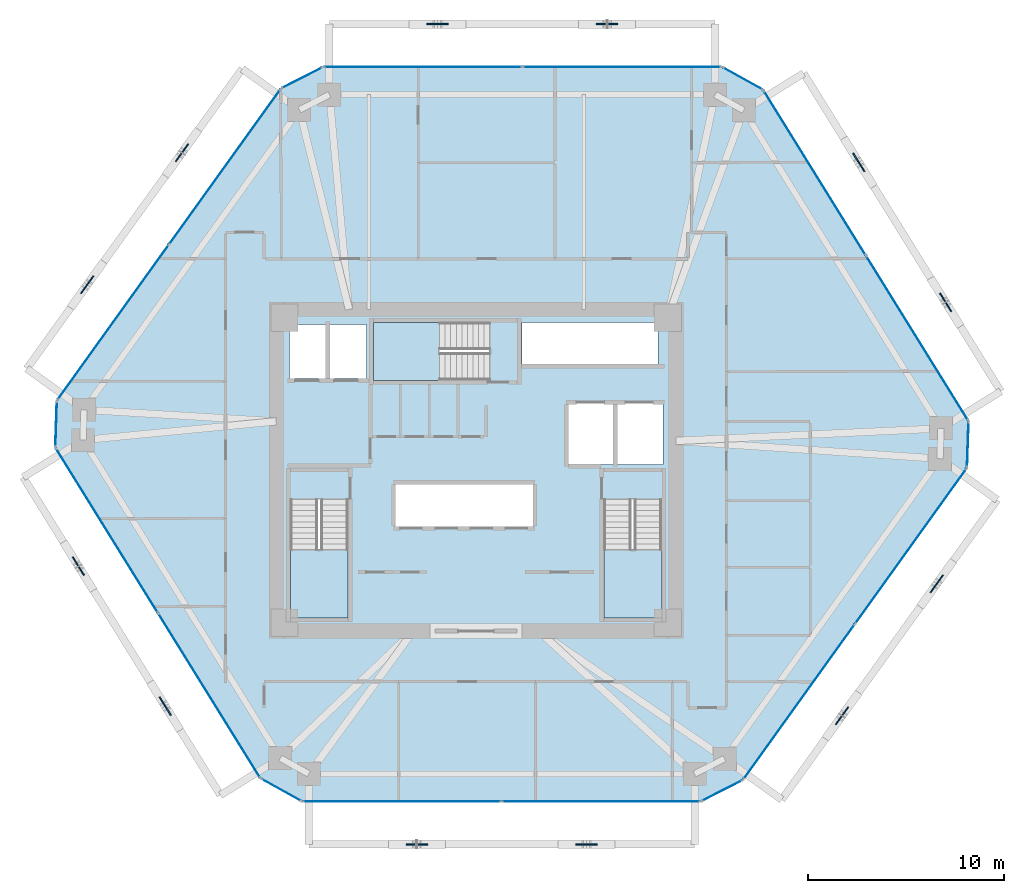
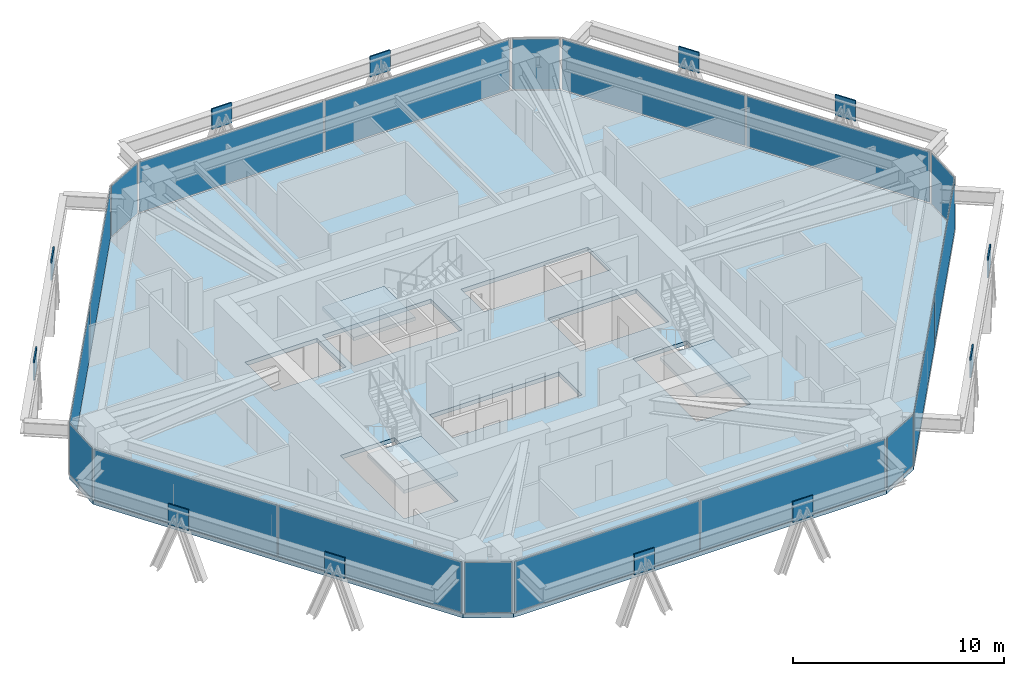
# One storey, part 9 of 16: 30 plates, 4 slabs, 15 elements without a shape of their own.
"""IFC4 building model written with IfcOpenShell, lengths in metres."""

from ifc_helpers import new_model, si_unit, direction, frame, origin, origin_2d, place, context, subcontext, project, spatial, polyline, rectangle, outline, extrude, source, transform, mapped, material, layer, layer_set, type_object, type_shapes, element, aggregate, save


model = new_model("IFC4")

# Units and contexts
model_context = context("Model", 3, precision=1e-05, world=origin(), true_north=direction((0.0, 1.0)))
body_context = subcontext(model_context, "Body", "Model", "MODEL_VIEW")
ifc_project = project(units=[si_unit("LENGTHUNIT", "METRE"), si_unit("AREAUNIT", "SQUARE_METRE"), si_unit("VOLUMEUNIT", "CUBIC_METRE"), si_unit("PLANEANGLEUNIT", "RADIAN"), si_unit("MASSUNIT", "GRAM", prefix="KILO")], contexts=[model_context])

# Site, building, storey
site_placement = place(None, origin())
site = spatial("IfcSite", under=ifc_project, at=site_placement, CompositionType="ELEMENT")
building_placement = place(site_placement, origin())
building = spatial("IfcBuilding", under=site, at=building_placement, Name="Durnholm Broadcast Tower", CompositionType="ELEMENT")
storey_placement = place(building_placement, frame((0.0, 0.0, 110.699951171875)))
storey = spatial("IfcBuildingStorey", under=building, at=storey_placement, Name="L29", CompositionType="ELEMENT", Elevation=110.699951171875)

# Slab
ifc_material_1 = material(Name="Concrete C50/60", Category="concrete")
ifc_layer_1 = layer(ifc_material_1, 0.239990234375)
ifc_layer_set_1 = layer_set([ifc_layer_1], Name="Concrete C50/60")
slab_type_1 = type_object("IfcSlabType", Name="SLAB-FLR-240", PredefinedType="FLOOR", material=ifc_layer_set_1)
slab_1_placement = place(storey_placement, frame((0.0, 0.0, -0.239990234375)))
element("IfcSlab", 1, at=slab_1_placement, inside=storey, type_object=slab_type_1, Name="L29 structural floor slab", PredefinedType="FLOOR", context=body_context, shape_type="SweptSolid", body=[
    extrude(outline(polyline([(-11.012451171875, -15.77001953125), (-8.915283203125, -16.93701171875), (11.51416015625, -16.93701171875), (13.649658203125, -15.841796875), (25.11279296875, 0.114990234375), (25.1943359375, 2.513671875), (14.6904296875, 19.447998046875), (12.59326171875, 20.614990234375), (-7.836181640625, 20.614990234375), (-9.9716796875, 19.519775390625), (-21.434814453125, 3.56298828125), (-21.516357421875, 1.164306640625), (-11.012451171875, -15.77001953125)]), holes=[polyline([(-6.5400390625, -1.5), (-9.5, -1.5), (-9.5, -7.550048828125), (-6.5400390625, -7.550048828125), (-6.5400390625, -1.5)]), polyline([(9.5, -7.550048828125), (9.5, -1.5), (6.5400390625, -1.5), (6.5400390625, -7.550048828125), (9.5, -7.550048828125)]), polyline([(2.949951171875, -0.699951171875), (-4.14990234375, -0.699951171875), (-4.14990234375, -2.89990234375), (2.949951171875, -2.89990234375), (2.949951171875, -0.699951171875)]), polyline([(9.550048828125, 3.39990234375), (4.699951171875, 3.39990234375), (4.699951171875, 0.300048828125), (9.550048828125, 0.300048828125), (9.550048828125, 3.39990234375)]), polyline([(-5.60009765625, 7.449951171875), (-9.550048828125, 7.449951171875), (-9.550048828125, 4.699951171875), (-5.60009765625, 4.699951171875), (-5.60009765625, 7.449951171875)]), polyline([(-5.25, 4.60009765625), (0.699951171875, 4.60009765625), (0.699951171875, 7.56005859375), (-5.25, 7.56005859375), (-5.25, 4.60009765625)]), polyline([(9.31005859375, 7.550048828125), (2.35009765625, 7.550048828125), (2.35009765625, 5.39990234375), (9.31005859375, 5.39990234375), (9.31005859375, 7.550048828125)])]), origin(), (0.0, 0.0, 1.0), 0.239990234375),
])

# Stair, slab
stair_type = type_object("IfcStairType", Name="STAIR-DL-20R1650", PredefinedType="HALF_TURN_STAIR", material=ifc_material_1)
stair_1_placement = place(storey_placement, origin())
stair_1 = element("IfcStair", 2, at=stair_1_placement, inside=storey, type_object=stair_type, Name="L29 ST-1", PredefinedType="HALF_TURN_STAIR")
ifc_layer_2 = layer(ifc_material_1, 0.199951171875)
ifc_layer_set_2 = layer_set([ifc_layer_2], Name="Concrete C50/60")
slab_type_2 = type_object("IfcSlabType", Name="SLAB-LND-200", PredefinedType="LANDING", material=ifc_layer_set_2)
slab_2_placement = place(storey_placement, frame((0.0, 0.0, 1.449951171875)))
slab_2 = element("IfcSlab", 3, at=slab_2_placement, type_object=slab_type_2, Name="ST-1 landing 1", PredefinedType="LANDING", context=body_context, shape_type="SweptSolid", body=[
    extrude(outline(polyline([(-9.5, -4.06494140625), (-9.5, -7.550048828125), (-6.5400390625, -7.550048828125), (-6.5400390625, -4.06494140625), (-9.5, -4.06494140625)])), origin(), (0.0, 0.0, 1.0), 0.2001953125),
])
aggregate(stair_1, [slab_2])

stair_2_placement = place(storey_placement, origin())
stair_2 = element("IfcStair", 4, at=stair_2_placement, inside=storey, type_object=stair_type, Name="L29 ST-2", PredefinedType="HALF_TURN_STAIR")
slab_3_placement = place(storey_placement, frame((0.0, 0.0, 1.449951171875)))
slab_3 = element("IfcSlab", 5, at=slab_3_placement, type_object=slab_type_2, Name="ST-2 landing 1", PredefinedType="LANDING", context=body_context, shape_type="SweptSolid", body=[
    extrude(outline(polyline([(6.5400390625, -4.06494140625), (6.5400390625, -7.550048828125), (9.5, -7.550048828125), (9.5, -4.06494140625), (6.5400390625, -4.06494140625)])), origin(), (0.0, 0.0, 1.0), 0.2001953125),
])
aggregate(stair_2, [slab_3])

stair_3_placement = place(storey_placement, origin())
stair_3 = element("IfcStair", 6, at=stair_3_placement, inside=storey, type_object=stair_type, Name="L29 ST-3", PredefinedType="HALF_TURN_STAIR")
slab_4_placement = place(storey_placement, frame((0.0, 0.0, 1.449951171875)))
slab_4 = element("IfcSlab", 7, at=slab_4_placement, type_object=slab_type_2, Name="ST-3 landing 1", PredefinedType="LANDING", context=body_context, shape_type="SweptSolid", body=[
    extrude(outline(polyline([(-1.864990234375, 7.56005859375), (-5.25, 7.56005859375), (-5.25, 4.60009765625), (-1.864990234375, 4.60009765625), (-1.864990234375, 7.56005859375)])), origin(), (0.0, 0.0, 1.0), 0.2001953125),
])
aggregate(stair_3, [slab_4])

# Plates
ifc_material_2 = material(Name="Steel ASTM A572 Grade 50", Category="steel")
ifc_layer_3 = layer(ifc_material_2, 0.070068359375)
ifc_layer_set_3 = layer_set([ifc_layer_3], Name="Steel ASTM A572 Grade 50")
plate_type_1 = type_object("IfcPlateType", Name="PLT-KN05-GUS", PredefinedType="USERDEFINED", material=ifc_layer_set_3)
shared_shape_1 = source(origin(), body_context, "Body", "SweptSolid", [
    extrude(rectangle(XDim=1.10009765625, YDim=0.070068359375, at=origin_2d()), origin(), (0.0, 0.0, 1.0), 1.199951171875),
])
type_shapes(plate_type_1, [shared_shape_1])
for number, where, z_axis, x_axis, name in (
    (8, (-3.028076171875, -19.136962890625, 1.70849609375), (0.0, 0.0, 1.0), (1.0, 0.0, 0.0), "L29 welded diagrid node gusset plate KN05 F1"),
    (9, (5.65234375, -19.136962890625, 1.70849609375), (0.0, 0.0, 1.0), (1.0, 0.0, 0.0), "L29 welded diagrid node gusset plate KN05 F1"),
    (10, (18.71875, -12.556396484375, 1.70849609375), (0.0, 0.0, 1.0), (0.583399467156, 0.812185361677, 0.0), "L29 welded diagrid node gusset plate KN05 F2"),
    (11, (23.56689453125, -5.807861328125, 1.70849609375), (0.0, 0.0, 1.0), (0.583399467156, 0.812185361677, 0.0), "L29 welded diagrid node gusset plate KN05 F2"),
    (12, (24.01513671875, 8.58837890625, 1.70849609375), (0.0, 0.0, 1.0), (-0.527104121728, 0.849800708906, 0.0), "L29 welded diagrid node gusset plate KN05 F3"),
    (13, (19.576416015625, 15.74462890625, 1.70849609375), (0.0, 0.0, 1.0), (-0.527104121728, 0.849800708906, 0.0), "L29 welded diagrid node gusset plate KN05 F3"),
    (14, (6.7060546875, 22.81494140625, 1.70849609375), (0.0, 0.0, 1.0), (-1.0, 0.0, 0.0), "L29 welded diagrid node gusset plate KN05 F4"),
    (15, (-1.974365234375, 22.81494140625, 1.70849609375), (0.0, 0.0, 1.0), (-1.0, 0.0, 0.0), "L29 welded diagrid node gusset plate KN05 F4"),
    (16, (-15.040771484375, 16.234375, 1.70849609375), (0.0, 0.0, 1.0), (-0.583399467156, -0.812185361677, 0.0), "L29 welded diagrid node gusset plate KN05 F5"),
    (17, (-19.888916015625, 9.48583984375, 1.70849609375), (0.0, 0.0, 1.0), (-0.583399467156, -0.812185361677, 0.0), "L29 welded diagrid node gusset plate KN05 F5"),
    (18, (-20.337158203125, -4.910400390625, 1.70849609375), (0.0, 0.0, 1.0), (0.527104121728, -0.849800708906, 0.0), "L29 welded diagrid node gusset plate KN05 F6"),
    (19, (-15.898193359375, -12.066650390625, 1.70849609375), (0.0, 0.0, 1.0), (0.527104121728, -0.849800708906, 0.0), "L29 welded diagrid node gusset plate KN05 F6"),
):
    element("IfcPlate", number, at=place(storey_placement, frame(where, z_axis=z_axis, x_axis=x_axis)), inside=storey, type_object=plate_type_1, Name=name, ObjectType="GUSSET_PLATE", PredefinedType="USERDEFINED", context=body_context, shape_type="MappedRepresentation", body=[
        mapped(shared_shape_1, transform((0.0, 0.0, 0.0), x_axis=(1.0, 0.0, 0.0), y_axis=(0.0, 1.0, 0.0), z_axis=(0.0, 0.0, 1.0), scale=1.0)),
    ])

# Curtain wall, plate
ifc_material_3 = material(Name="Aluminium and Solar Control IGU", Category="aluminium")
ifc_layer_4 = layer(ifc_material_3, 0.1650390625)
ifc_layer_set_4 = layer_set([ifc_layer_4], Name="Aluminium and Solar Control IGU")
curtain_wall_type_1 = type_object("IfcCurtainWallType", Name="CW-SYS-5", PredefinedType="NOTDEFINED", material=ifc_layer_set_4)
curtain_wall_1_placement = place(storey_placement, origin())
curtain_wall_1 = element("IfcCurtainWall", 20, at=curtain_wall_1_placement, inside=storey, type_object=curtain_wall_type_1, Name="L29 curtain wall CW-CORNER CW-L29-CRN-01", PredefinedType="NOTDEFINED")
ifc_material_4 = material(Name="Low-E Laminated Insulating Glass", Category="glass")
ifc_layer_5 = layer(ifc_material_4, 0.030029296875)
ifc_layer_set_5 = layer_set([ifc_layer_5], Name="Low-E Laminated Insulating Glass")
plate_type_2 = type_object("IfcPlateType", Name="CW-SYS-5-PNL", PredefinedType="CURTAIN_PANEL", material=ifc_layer_set_5)
shared_shape_2 = source(origin(), body_context, "Body", "SweptSolid", [
    extrude(rectangle(XDim=2.27001953125, YDim=0.030029296875, at=origin_2d()), origin(), (0.0, 0.0, 1.0), 2.929931640625),
])
type_shapes(plate_type_2, [shared_shape_2])
plate_1_placement = place(storey_placement, frame((-21.4755859375, 2.36376953125, 0.06494140625), z_axis=(0.0, 0.0, 1.0), x_axis=(0.033916937775, 0.999424655155, 0.0)))
plate_1 = element("IfcPlate", 21, at=plate_1_placement, type_object=plate_type_2, Name="CW-CORNER panel 1.1", PredefinedType="CURTAIN_PANEL", context=body_context, shape_type="MappedRepresentation", body=[
    mapped(shared_shape_2, transform((0.0, 0.0, 0.0), x_axis=(1.0, 0.0, 0.0), y_axis=(0.0, 1.0, 0.0), z_axis=(0.0, 0.0, 1.0), scale=1.0)),
])
aggregate(curtain_wall_1, [plate_1])

curtain_wall_2_placement = place(storey_placement, origin())
curtain_wall_2 = element("IfcCurtainWall", 22, at=curtain_wall_2_placement, inside=storey, type_object=curtain_wall_type_1, Name="L29 curtain wall CW-CORNER CW-L29-CRN-03", PredefinedType="NOTDEFINED")
plate_2_placement = place(storey_placement, frame((-8.904052734375, 20.0673828125, 0.06494140625), z_axis=(0.0, 0.0, 1.0), x_axis=(0.889788396392, 0.45637332267, 0.0)))
plate_2 = element("IfcPlate", 23, at=plate_2_placement, type_object=plate_type_2, Name="CW-CORNER panel 1.1", PredefinedType="CURTAIN_PANEL", context=body_context, shape_type="MappedRepresentation", body=[
    mapped(shared_shape_2, transform((0.0, 0.0, 0.0), x_axis=(1.0, 0.0, 0.0), y_axis=(0.0, 1.0, 0.0), z_axis=(0.0, 0.0, 1.0), scale=1.0)),
])
aggregate(curtain_wall_2, [plate_2])

curtain_wall_3_placement = place(storey_placement, origin())
curtain_wall_3 = element("IfcCurtainWall", 24, at=curtain_wall_3_placement, inside=storey, type_object=curtain_wall_type_1, Name="L29 curtain wall CW-CORNER CW-L29-CRN-05", PredefinedType="NOTDEFINED")
plate_3_placement = place(storey_placement, frame((13.641845703125, 20.031494140625, 0.06494140625), z_axis=(0.0, 0.0, 1.0), x_axis=(0.873822953715, -0.486244224192, 0.0)))
plate_3 = element("IfcPlate", 25, at=plate_3_placement, type_object=plate_type_2, Name="CW-CORNER panel 1.1", PredefinedType="CURTAIN_PANEL", context=body_context, shape_type="MappedRepresentation", body=[
    mapped(shared_shape_2, transform((0.0, 0.0, 0.0), x_axis=(1.0, 0.0, 0.0), y_axis=(0.0, 1.0, 0.0), z_axis=(0.0, 0.0, 1.0), scale=1.0)),
])
aggregate(curtain_wall_3, [plate_3])

curtain_wall_4_placement = place(storey_placement, origin())
curtain_wall_4 = element("IfcCurtainWall", 26, at=curtain_wall_4_placement, inside=storey, type_object=curtain_wall_type_1, Name="L29 curtain wall CW-CORNER CW-L29-CRN-07", PredefinedType="NOTDEFINED")
plate_4_placement = place(storey_placement, frame((25.153564453125, 1.314208984375, 0.06494140625), z_axis=(0.0, 0.0, 1.0), x_axis=(-0.033916937775, -0.999424655155, 0.0)))
plate_4 = element("IfcPlate", 27, at=plate_4_placement, type_object=plate_type_2, Name="CW-CORNER panel 1.1", PredefinedType="CURTAIN_PANEL", context=body_context, shape_type="MappedRepresentation", body=[
    mapped(shared_shape_2, transform((0.0, 0.0, 0.0), x_axis=(1.0, 0.0, 0.0), y_axis=(0.0, 1.0, 0.0), z_axis=(0.0, 0.0, 1.0), scale=1.0)),
])
aggregate(curtain_wall_4, [plate_4])

curtain_wall_5_placement = place(storey_placement, origin())
curtain_wall_5 = element("IfcCurtainWall", 28, at=curtain_wall_5_placement, inside=storey, type_object=curtain_wall_type_1, Name="L29 curtain wall CW-CORNER CW-L29-CRN-09", PredefinedType="NOTDEFINED")
plate_5_placement = place(storey_placement, frame((12.58203125, -16.389404296875, 0.06494140625), z_axis=(0.0, 0.0, 1.0), x_axis=(-0.889788396392, -0.45637332267, 0.0)))
plate_5 = element("IfcPlate", 29, at=plate_5_placement, type_object=plate_type_2, Name="CW-CORNER panel 1.1", PredefinedType="CURTAIN_PANEL", context=body_context, shape_type="MappedRepresentation", body=[
    mapped(shared_shape_2, transform((0.0, 0.0, 0.0), x_axis=(1.0, 0.0, 0.0), y_axis=(0.0, 1.0, 0.0), z_axis=(0.0, 0.0, 1.0), scale=1.0)),
])
aggregate(curtain_wall_5, [plate_5])

curtain_wall_6_placement = place(storey_placement, origin())
curtain_wall_6 = element("IfcCurtainWall", 30, at=curtain_wall_6_placement, inside=storey, type_object=curtain_wall_type_1, Name="L29 curtain wall CW-CORNER CW-L29-CRN-11", PredefinedType="NOTDEFINED")
plate_6_placement = place(storey_placement, frame((-9.9638671875, -16.353515625, 0.06494140625), z_axis=(0.0, 0.0, 1.0), x_axis=(-0.873822953715, 0.486244224192, 0.0)))
plate_6 = element("IfcPlate", 31, at=plate_6_placement, type_object=plate_type_2, Name="CW-CORNER panel 1.1", PredefinedType="CURTAIN_PANEL", context=body_context, shape_type="MappedRepresentation", body=[
    mapped(shared_shape_2, transform((0.0, 0.0, 0.0), x_axis=(1.0, 0.0, 0.0), y_axis=(0.0, 1.0, 0.0), z_axis=(0.0, 0.0, 1.0), scale=1.0)),
])
aggregate(curtain_wall_6, [plate_6])

# Curtain wall, plates
ifc_layer_6 = layer(ifc_material_3, 0.18994140625)
ifc_layer_set_6 = layer_set([ifc_layer_6], Name="Aluminium and Solar Control IGU")
curtain_wall_type_2 = type_object("IfcCurtainWallType", Name="CW-SYS-3", PredefinedType="NOTDEFINED", material=ifc_layer_set_6)
curtain_wall_7_placement = place(storey_placement, origin())
curtain_wall_7 = element("IfcCurtainWall", 32, at=curtain_wall_7_placement, inside=storey, type_object=curtain_wall_type_2, Name="L29 curtain wall CW-Z12-VIS CW-L29-F02", PredefinedType="NOTDEFINED")
ifc_layer_7 = layer(ifc_material_4, 0.031982421875)
ifc_layer_set_7 = layer_set([ifc_layer_7], Name="Low-E Laminated Insulating Glass")
plate_type_3 = type_object("IfcPlateType", Name="CW-SYS-3-PNL", PredefinedType="CURTAIN_PANEL", material=ifc_layer_set_7)
shared_shape_3 = source(origin(), body_context, "Body", "SweptSolid", [
    extrude(rectangle(XDim=9.71875, YDim=0.031982421875, at=origin_2d()), origin(), (0.0, 0.0, 1.0), 2.919921875),
])
plate_7_placement = place(storey_placement, frame((-18.558837890625, 7.56640625, 0.070068359375), z_axis=(0.0, 0.0, 1.0), x_axis=(0.583445473786, 0.812152312759, 0.0)))
plate_7 = element("IfcPlate", 33, at=plate_7_placement, type_object=plate_type_3, Name="CW-Z12-VIS panel 1.1", PredefinedType="CURTAIN_PANEL", context=body_context, shape_type="MappedRepresentation", body=[
    mapped(shared_shape_3, transform((0.0, 0.0, 0.0), x_axis=(1.0, 0.0, 0.0), y_axis=(0.0, 1.0, 0.0), z_axis=(0.0, 0.0, 1.0), scale=1.0)),
])
plate_8_placement = place(storey_placement, frame((-12.84765625, 15.516357421875, 0.070068359375), z_axis=(0.0, 0.0, 1.0), x_axis=(0.583445473786, 0.812152312759, 0.0)))
plate_8 = element("IfcPlate", 34, at=plate_8_placement, type_object=plate_type_3, Name="CW-Z12-VIS panel 2.1", PredefinedType="CURTAIN_PANEL", context=body_context, shape_type="MappedRepresentation", body=[
    mapped(shared_shape_3, transform((0.0, 0.0, 0.0), x_axis=(1.0, 0.0, 0.0), y_axis=(0.0, 1.0, 0.0), z_axis=(0.0, 0.0, 1.0), scale=1.0)),
])
aggregate(curtain_wall_7, [plate_7, plate_8])

curtain_wall_8_placement = place(storey_placement, origin())
curtain_wall_8 = element("IfcCurtainWall", 35, at=curtain_wall_8_placement, inside=storey, type_object=curtain_wall_type_2, Name="L29 curtain wall CW-Z12-VIS CW-L29-F08", PredefinedType="NOTDEFINED")
plate_9_placement = place(storey_placement, frame((22.23681640625, -3.888427734375, 0.070068359375), z_axis=(0.0, 0.0, 1.0), x_axis=(-0.583445473786, -0.812152312759, 0.0)))
plate_9 = element("IfcPlate", 36, at=plate_9_placement, type_object=plate_type_3, Name="CW-Z12-VIS panel 1.1", PredefinedType="CURTAIN_PANEL", context=body_context, shape_type="MappedRepresentation", body=[
    mapped(shared_shape_3, transform((0.0, 0.0, 0.0), x_axis=(1.0, 0.0, 0.0), y_axis=(0.0, 1.0, 0.0), z_axis=(0.0, 0.0, 1.0), scale=1.0)),
])
plate_10_placement = place(storey_placement, frame((16.525634765625, -11.83837890625, 0.070068359375), z_axis=(0.0, 0.0, 1.0), x_axis=(-0.583445473786, -0.812152312759, 0.0)))
plate_10 = element("IfcPlate", 37, at=plate_10_placement, type_object=plate_type_3, Name="CW-Z12-VIS panel 2.1", PredefinedType="CURTAIN_PANEL", context=body_context, shape_type="MappedRepresentation", body=[
    mapped(shared_shape_3, transform((0.0, 0.0, 0.0), x_axis=(1.0, 0.0, 0.0), y_axis=(0.0, 1.0, 0.0), z_axis=(0.0, 0.0, 1.0), scale=1.0)),
])
aggregate(curtain_wall_8, [plate_9, plate_10])

curtain_wall_9_placement = place(storey_placement, origin())
curtain_wall_9 = element("IfcCurtainWall", 38, at=curtain_wall_9_placement, inside=storey, type_object=curtain_wall_type_2, Name="L29 curtain wall CW-Z12-VIS CW-L29-F04", PredefinedType="NOTDEFINED")
shared_shape_4 = source(origin(), body_context, "Body", "SweptSolid", [
    extrude(rectangle(XDim=10.109619140625, YDim=0.031982421875, at=origin_2d()), origin(), (0.0, 0.0, 1.0), 2.919921875),
])
plate_11_placement = place(storey_placement, frame((-2.71142578125, 20.614990234375, 0.070068359375), z_axis=(0.0, 0.0, 1.0), x_axis=(1.0, 0.0, 0.0)))
plate_11 = element("IfcPlate", 39, at=plate_11_placement, type_object=plate_type_3, Name="CW-Z12-VIS panel 1.1", PredefinedType="CURTAIN_PANEL", context=body_context, shape_type="MappedRepresentation", body=[
    mapped(shared_shape_4, transform((0.0, 0.0, 0.0), x_axis=(1.0, 0.0, 0.0), y_axis=(0.0, 1.0, 0.0), z_axis=(0.0, 0.0, 1.0), scale=1.0)),
])
plate_12_placement = place(storey_placement, frame((7.46826171875, 20.614990234375, 0.070068359375), z_axis=(0.0, 0.0, 1.0), x_axis=(1.0, 0.0, 0.0)))
plate_12 = element("IfcPlate", 40, at=plate_12_placement, type_object=plate_type_3, Name="CW-Z12-VIS panel 2.1", PredefinedType="CURTAIN_PANEL", context=body_context, shape_type="MappedRepresentation", body=[
    mapped(shared_shape_4, transform((0.0, 0.0, 0.0), x_axis=(1.0, 0.0, 0.0), y_axis=(0.0, 1.0, 0.0), z_axis=(0.0, 0.0, 1.0), scale=1.0)),
])
aggregate(curtain_wall_9, [plate_11, plate_12])

curtain_wall_10_placement = place(storey_placement, origin())
curtain_wall_10 = element("IfcCurtainWall", 41, at=curtain_wall_10_placement, inside=storey, type_object=curtain_wall_type_2, Name="L29 curtain wall CW-Z12-VIS CW-L29-F10", PredefinedType="NOTDEFINED")
plate_13_placement = place(storey_placement, frame((6.389404296875, -16.93701171875, 0.070068359375), z_axis=(0.0, 0.0, 1.0), x_axis=(-1.0, 0.0, 0.0)))
plate_13 = element("IfcPlate", 42, at=plate_13_placement, type_object=plate_type_3, Name="CW-Z12-VIS panel 1.1", PredefinedType="CURTAIN_PANEL", context=body_context, shape_type="MappedRepresentation", body=[
    mapped(shared_shape_4, transform((0.0, 0.0, 0.0), x_axis=(1.0, 0.0, 0.0), y_axis=(0.0, 1.0, 0.0), z_axis=(0.0, 0.0, 1.0), scale=1.0)),
])
plate_14_placement = place(storey_placement, frame((-3.790283203125, -16.93701171875, 0.070068359375), z_axis=(0.0, 0.0, 1.0), x_axis=(-1.0, 0.0, 0.0)))
plate_14 = element("IfcPlate", 43, at=plate_14_placement, type_object=plate_type_3, Name="CW-Z12-VIS panel 2.1", PredefinedType="CURTAIN_PANEL", context=body_context, shape_type="MappedRepresentation", body=[
    mapped(shared_shape_4, transform((0.0, 0.0, 0.0), x_axis=(1.0, 0.0, 0.0), y_axis=(0.0, 1.0, 0.0), z_axis=(0.0, 0.0, 1.0), scale=1.0)),
])
aggregate(curtain_wall_10, [plate_13, plate_14])

curtain_wall_11_placement = place(storey_placement, origin())
curtain_wall_11 = element("IfcCurtainWall", 44, at=curtain_wall_11_placement, inside=storey, type_object=curtain_wall_type_2, Name="L29 curtain wall CW-Z12-VIS CW-L29-F06", PredefinedType="NOTDEFINED")
shared_shape_5 = source(origin(), body_context, "Body", "SweptSolid", [
    extrude(rectangle(XDim=9.858642578125, YDim=0.031982421875, at=origin_2d()), origin(), (0.0, 0.0, 1.0), 2.919921875),
])
type_shapes(plate_type_3, [shared_shape_3, shared_shape_4, shared_shape_5])
plate_15_placement = place(storey_placement, frame((17.32568359375, 15.199462890625, 0.070068359375), z_axis=(0.0, 0.0, 1.0), x_axis=(0.527105385176, -0.849799925229, 0.0)))
plate_15 = element("IfcPlate", 45, at=plate_15_placement, type_object=plate_type_3, Name="CW-Z12-VIS panel 1.1", PredefinedType="CURTAIN_PANEL", context=body_context, shape_type="MappedRepresentation", body=[
    mapped(shared_shape_5, transform((0.0, 0.0, 0.0), x_axis=(1.0, 0.0, 0.0), y_axis=(0.0, 1.0, 0.0), z_axis=(0.0, 0.0, 1.0), scale=1.0)),
])
plate_16_placement = place(storey_placement, frame((22.55908203125, 6.761962890625, 0.070068359375), z_axis=(0.0, 0.0, 1.0), x_axis=(0.527105385176, -0.849799925229, 0.0)))
plate_16 = element("IfcPlate", 46, at=plate_16_placement, type_object=plate_type_3, Name="CW-Z12-VIS panel 2.1", PredefinedType="CURTAIN_PANEL", context=body_context, shape_type="MappedRepresentation", body=[
    mapped(shared_shape_5, transform((0.0, 0.0, 0.0), x_axis=(1.0, 0.0, 0.0), y_axis=(0.0, 1.0, 0.0), z_axis=(0.0, 0.0, 1.0), scale=1.0)),
])
aggregate(curtain_wall_11, [plate_15, plate_16])

curtain_wall_12_placement = place(storey_placement, origin())
curtain_wall_12 = element("IfcCurtainWall", 47, at=curtain_wall_12_placement, inside=storey, type_object=curtain_wall_type_2, Name="L29 curtain wall CW-Z12-VIS CW-L29-F12", PredefinedType="NOTDEFINED")
plate_17_placement = place(storey_placement, frame((-13.647705078125, -11.521484375, 0.070068359375), z_axis=(0.0, 0.0, 1.0), x_axis=(-0.527105385176, 0.849799925229, 0.0)))
plate_17 = element("IfcPlate", 48, at=plate_17_placement, type_object=plate_type_3, Name="CW-Z12-VIS panel 1.1", PredefinedType="CURTAIN_PANEL", context=body_context, shape_type="MappedRepresentation", body=[
    mapped(shared_shape_5, transform((0.0, 0.0, 0.0), x_axis=(1.0, 0.0, 0.0), y_axis=(0.0, 1.0, 0.0), z_axis=(0.0, 0.0, 1.0), scale=1.0)),
])
plate_18_placement = place(storey_placement, frame((-18.881103515625, -3.083984375, 0.070068359375), z_axis=(0.0, 0.0, 1.0), x_axis=(-0.527105385176, 0.849799925229, 0.0)))
plate_18 = element("IfcPlate", 49, at=plate_18_placement, type_object=plate_type_3, Name="CW-Z12-VIS panel 2.1", PredefinedType="CURTAIN_PANEL", context=body_context, shape_type="MappedRepresentation", body=[
    mapped(shared_shape_5, transform((0.0, 0.0, 0.0), x_axis=(1.0, 0.0, 0.0), y_axis=(0.0, 1.0, 0.0), z_axis=(0.0, 0.0, 1.0), scale=1.0)),
])
aggregate(curtain_wall_12, [plate_17, plate_18])

save(model, "model.ifc")
